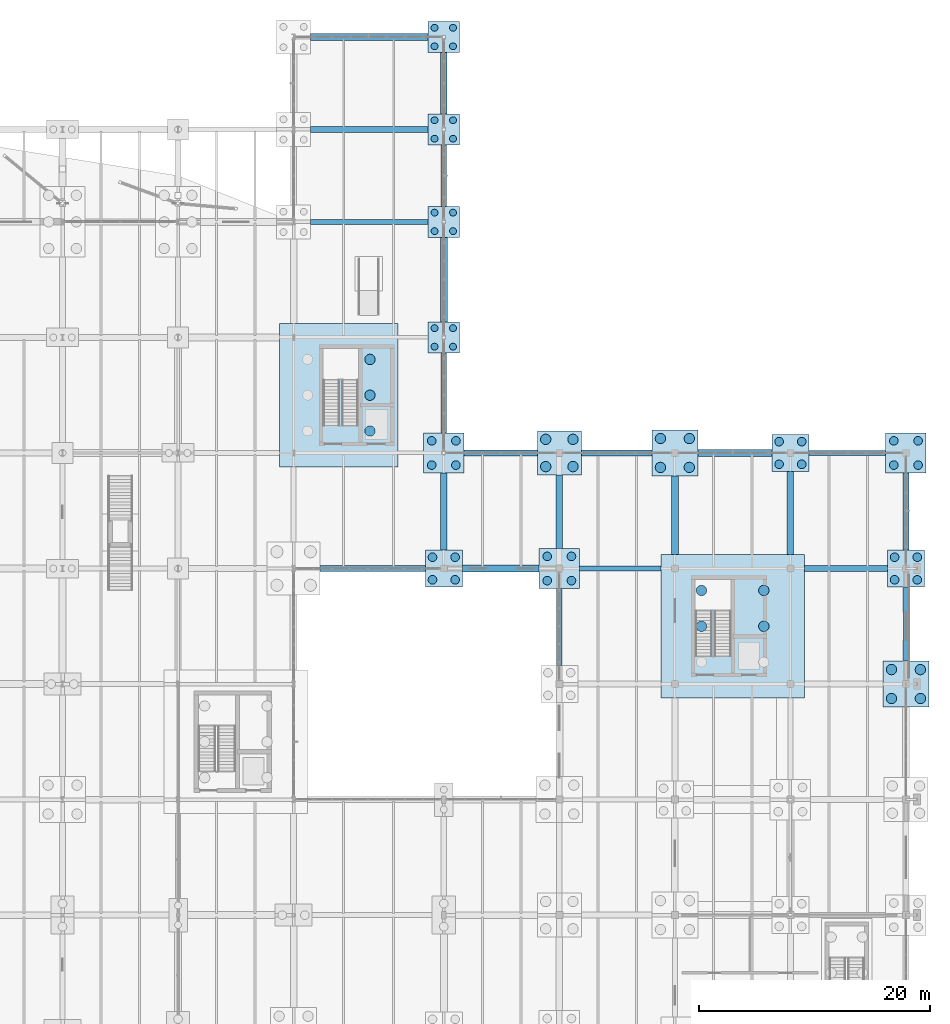
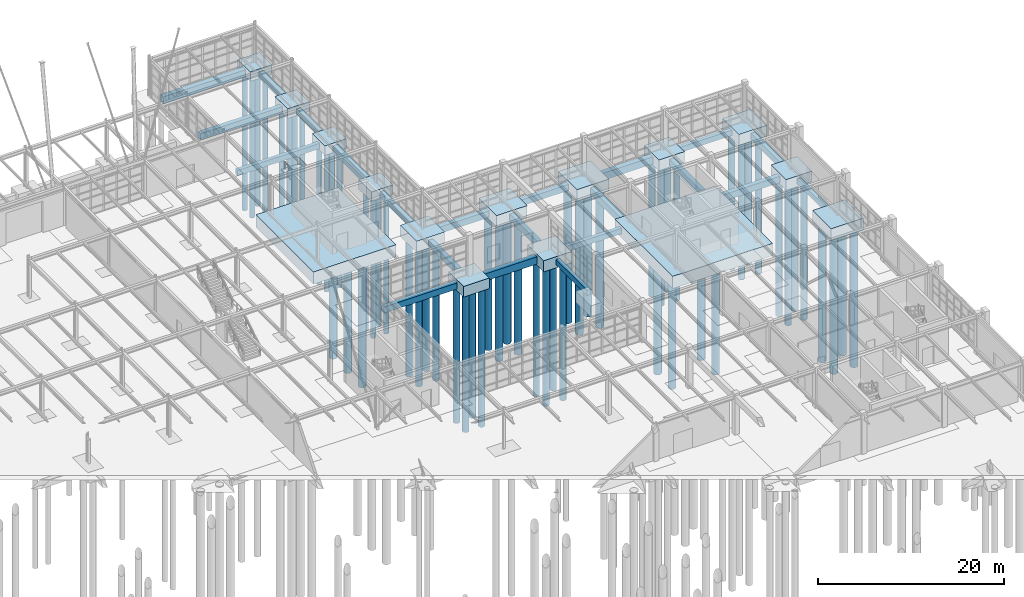
# One storey, part 9 of 145: 59 piles, 37 footings.
"""IFC4 building model written with IfcOpenShell, lengths in metres."""

from ifc_helpers import new_model, si_unit, direction, frame, origin, origin_2d, place, context, subcontext, project, spatial, rectangle, circle, extrude, material, material_profile, profile_set, type_object, element, save


model = new_model("IFC4")

# Units and contexts
model_context = context("Model", 3, precision=1e-05, world=origin(), true_north=direction((0.0, 1.0)))
body_context = subcontext(model_context, "Body", "Model", "MODEL_VIEW")
ifc_project = project(units=[si_unit("LENGTHUNIT", "METRE"), si_unit("AREAUNIT", "SQUARE_METRE"), si_unit("VOLUMEUNIT", "CUBIC_METRE"), si_unit("PLANEANGLEUNIT", "RADIAN"), si_unit("MASSUNIT", "GRAM", prefix="KILO"), si_unit("THERMODYNAMICTEMPERATUREUNIT", "KELVIN"), si_unit("POWERUNIT", "WATT")], contexts=[model_context])

# Site, building, storey
site_placement = place(None, origin())
site = spatial("IfcSite", under=ifc_project, at=site_placement, CompositionType="ELEMENT")
building_placement = place(site_placement, origin())
building = spatial("IfcBuilding", under=site, at=building_placement, Name="Korenveer Ferry Terminal", CompositionType="ELEMENT")
storey_placement = place(building_placement, origin())
storey = spatial("IfcBuildingStorey", under=building, at=storey_placement, Name="L00", CompositionType="ELEMENT", Elevation=0.0)

# Footings
ifc_material_1 = material(Name="Concrete C40/50", Category="concrete")
footing_type_1 = type_object("IfcFootingType", Name="STR-GB-01", PredefinedType="FOOTING_BEAM", material=ifc_material_1)
footing_1_placement = place(storey_placement, frame((129.85009765625, 70.0, -1.14990234375), z_axis=(0.0, 0.0, 1.0), x_axis=(1.0, 0.0, 0.0)))
element("IfcFooting", 1, at=footing_1_placement, inside=storey, type_object=footing_type_1, Name="Ground tie beam 104", PredefinedType="FOOTING_BEAM", context=body_context, shape_type="SweptSolid", body=[
    extrude(rectangle(XDim=9.10009765625, YDim=0.5, at=origin_2d()), origin(), (0.0, 0.0, 1.0), 0.800048828125),
])
footing_2_placement = place(storey_placement, frame((150.949951171875, 80.0, -1.14990234375), z_axis=(0.0, 0.0, 1.0), x_axis=(1.0, 0.0, 0.0)))
element("IfcFooting", 2, at=footing_2_placement, inside=storey, type_object=footing_type_1, Name="Ground tie beam 120", PredefinedType="FOOTING_BEAM", context=body_context, shape_type="SweptSolid", body=[
    extrude(rectangle(XDim=6.10009765625, YDim=0.5, at=origin_2d()), origin(), (0.0, 0.0, 1.0), 0.800048828125),
])
footing_3_placement = place(storey_placement, frame((136.0, 85.199951171875, -1.14990234375), z_axis=(0.0, 0.0, 1.0), x_axis=(1.0, 0.0, 0.0)))
element("IfcFooting", 3, at=footing_3_placement, inside=storey, type_object=footing_type_1, Name="Ground tie beam 268", PredefinedType="FOOTING_BEAM", context=body_context, shape_type="SweptSolid", body=[
    extrude(rectangle(XDim=0.5, YDim=6.89990234375, at=origin_2d()), origin(), (0.0, 0.0, 1.0), 0.800048828125),
])
footing_type_2 = type_object("IfcFootingType", Name="STR-GB-02", PredefinedType="FOOTING_BEAM", material=ifc_material_1)
footing_4_placement = place(storey_placement, frame((140.925048828125, 70.0, -1.2998046875), z_axis=(0.0, 0.0, 1.0), x_axis=(1.0, 0.0, 0.0)))
element("IfcFooting", 4, at=footing_4_placement, inside=storey, type_object=footing_type_2, Name="Ground tie beam 105", PredefinedType="FOOTING_BEAM", context=body_context, shape_type="SweptSolid", body=[
    extrude(rectangle(XDim=6.64990234375, YDim=0.60009765625, at=origin_2d()), origin(), (0.0, 0.0, 1.0), 0.949951171875),
])
footing_5_placement = place(storey_placement, frame((161.199951171875, 80.0, -1.2998046875), z_axis=(0.0, 0.0, 1.0), x_axis=(1.0, 0.0, 0.0)))
element("IfcFooting", 5, at=footing_5_placement, inside=storey, type_object=footing_type_2, Name="Ground tie beam 121", PredefinedType="FOOTING_BEAM", context=body_context, shape_type="SweptSolid", body=[
    extrude(rectangle(XDim=6.39990234375, YDim=0.60009765625, at=origin_2d()), origin(), (0.0, 0.0, 1.0), 0.949951171875),
])
footing_6_placement = place(storey_placement, frame((129.5625, 116.0, -1.2998046875), z_axis=(0.0, 0.0, 1.0), x_axis=(1.0, 0.0, 0.0)))
element("IfcFooting", 6, at=footing_6_placement, inside=storey, type_object=footing_type_2, Name="Ground tie beam 149", PredefinedType="FOOTING_BEAM", context=body_context, shape_type="SweptSolid", body=[
    extrude(rectangle(XDim=10.175048828125, YDim=0.60009765625, at=origin_2d()), origin(), (0.0, 0.0, 1.0), 0.949951171875),
])
footing_7_placement = place(storey_placement, frame((136.0, 95.0, -1.2998046875), z_axis=(0.0, 0.0, 1.0), x_axis=(1.0, 0.0, 0.0)))
element("IfcFooting", 7, at=footing_7_placement, inside=storey, type_object=footing_type_2, Name="Ground tie beam 269", PredefinedType="FOOTING_BEAM", context=body_context, shape_type="SweptSolid", body=[
    extrude(rectangle(XDim=0.60009765625, YDim=7.300048828125, at=origin_2d()), origin(), (0.0, 0.0, 1.0), 0.949951171875),
])
footing_8_placement = place(storey_placement, frame((156.0, 74.60009765625, -1.2998046875), z_axis=(0.0, 0.0, 1.0), x_axis=(1.0, 0.0, 0.0)))
element("IfcFooting", 8, at=footing_8_placement, inside=storey, type_object=footing_type_2, Name="Ground tie beam 285", PredefinedType="FOOTING_BEAM", context=body_context, shape_type="SweptSolid", body=[
    extrude(rectangle(XDim=0.60009765625, YDim=6.800048828125, at=origin_2d()), origin(), (0.0, 0.0, 1.0), 0.949951171875),
])
footing_type_3 = type_object("IfcFootingType", Name="STR-GB-03", PredefinedType="FOOTING_BEAM", material=ifc_material_1)
footing_9_placement = place(storey_placement, frame((151.27490234375, 70.0, -1.0498046875), z_axis=(0.0, 0.0, 1.0), x_axis=(1.0, 0.0, 0.0)))
element("IfcFooting", 9, at=footing_9_placement, inside=storey, type_object=footing_type_3, Name="Ground tie beam 106", PredefinedType="FOOTING_BEAM", context=body_context, shape_type="SweptSolid", body=[
    extrude(rectangle(XDim=7.050048828125, YDim=0.449951171875, at=origin_2d()), origin(), (0.0, 0.0, 1.0), 0.699951171875),
])
footing_10_placement = place(storey_placement, frame((170.925048828125, 80.0, -1.0498046875), z_axis=(0.0, 0.0, 1.0), x_axis=(1.0, 0.0, 0.0)))
element("IfcFooting", 10, at=footing_10_placement, inside=storey, type_object=footing_type_3, Name="Ground tie beam 122", PredefinedType="FOOTING_BEAM", context=body_context, shape_type="SweptSolid", body=[
    extrude(rectangle(XDim=6.64990234375, YDim=0.449951171875, at=origin_2d()), origin(), (0.0, 0.0, 1.0), 0.699951171875),
])
footing_11_placement = place(storey_placement, frame((129.5625, 100.0, -1.0498046875), z_axis=(0.0, 0.0, 1.0), x_axis=(1.0, 0.0, 0.0)))
element("IfcFooting", 11, at=footing_11_placement, inside=storey, type_object=footing_type_3, Name="Ground tie beam 138", PredefinedType="FOOTING_BEAM", context=body_context, shape_type="SweptSolid", body=[
    extrude(rectangle(XDim=10.175048828125, YDim=0.449951171875, at=origin_2d()), origin(), (0.0, 0.0, 1.0), 0.699951171875),
])
footing_12_placement = place(storey_placement, frame((136.0, 104.0, -1.0498046875), z_axis=(0.0, 0.0, 1.0), x_axis=(1.0, 0.0, 0.0)))
element("IfcFooting", 12, at=footing_12_placement, inside=storey, type_object=footing_type_3, Name="Ground tie beam 270", PredefinedType="FOOTING_BEAM", context=body_context, shape_type="SweptSolid", body=[
    extrude(rectangle(XDim=0.449951171875, YDim=5.300048828125, at=origin_2d()), origin(), (0.0, 0.0, 1.0), 0.699951171875),
])
footing_13_placement = place(storey_placement, frame((146.0, 64.925048828125, -1.0498046875), z_axis=(0.0, 0.0, 1.0), x_axis=(1.0, 0.0, 0.0)))
element("IfcFooting", 13, at=footing_13_placement, inside=storey, type_object=footing_type_3, Name="Ground tie beam 278", PredefinedType="FOOTING_BEAM", context=body_context, shape_type="SweptSolid", body=[
    extrude(rectangle(XDim=0.449951171875, YDim=6.64990234375, at=origin_2d()), origin(), (0.0, 0.0, 1.0), 0.699951171875),
])
footing_14_placement = place(storey_placement, frame((176.0, 65.199951171875, -1.0498046875), z_axis=(0.0, 0.0, 1.0), x_axis=(1.0, 0.0, 0.0)))
element("IfcFooting", 14, at=footing_14_placement, inside=storey, type_object=footing_type_3, Name="Ground tie beam 298", PredefinedType="FOOTING_BEAM", context=body_context, shape_type="SweptSolid", body=[
    extrude(rectangle(XDim=0.449951171875, YDim=6.39990234375, at=origin_2d()), origin(), (0.0, 0.0, 1.0), 0.699951171875),
])
footing_type_4 = type_object("IfcFootingType", Name="STR-GB-04", PredefinedType="FOOTING_BEAM", material=ifc_material_1)
footing_15_placement = place(storey_placement, frame((170.800048828125, 70.0, -1.199951171875), z_axis=(0.0, 0.0, 1.0), x_axis=(1.0, 0.0, 0.0)))
element("IfcFooting", 15, at=footing_15_placement, inside=storey, type_object=footing_type_4, Name="Ground tie beam 107", PredefinedType="FOOTING_BEAM", context=body_context, shape_type="SweptSolid", body=[
    extrude(rectangle(XDim=7.199951171875, YDim=0.550048828125, at=origin_2d()), origin(), (0.0, 0.0, 1.0), 0.85009765625),
])
footing_16_placement = place(storey_placement, frame((140.925048828125, 80.0, -1.199951171875), z_axis=(0.0, 0.0, 1.0), x_axis=(1.0, 0.0, 0.0)))
element("IfcFooting", 16, at=footing_16_placement, inside=storey, type_object=footing_type_4, Name="Ground tie beam 119", PredefinedType="FOOTING_BEAM", context=body_context, shape_type="SweptSolid", body=[
    extrude(rectangle(XDim=6.35009765625, YDim=0.550048828125, at=origin_2d()), origin(), (0.0, 0.0, 1.0), 0.85009765625),
])
footing_17_placement = place(storey_placement, frame((129.5625, 108.0, -1.199951171875), z_axis=(0.0, 0.0, 1.0), x_axis=(1.0, 0.0, 0.0)))
element("IfcFooting", 17, at=footing_17_placement, inside=storey, type_object=footing_type_4, Name="Ground tie beam 147", PredefinedType="FOOTING_BEAM", context=body_context, shape_type="SweptSolid", body=[
    extrude(rectangle(XDim=10.175048828125, YDim=0.550048828125, at=origin_2d()), origin(), (0.0, 0.0, 1.0), 0.85009765625),
])
footing_18_placement = place(storey_placement, frame((136.0, 74.925048828125, -1.199951171875), z_axis=(0.0, 0.0, 1.0), x_axis=(1.0, 0.0, 0.0)))
element("IfcFooting", 18, at=footing_18_placement, inside=storey, type_object=footing_type_4, Name="Ground tie beam 267", PredefinedType="FOOTING_BEAM", context=body_context, shape_type="SweptSolid", body=[
    extrude(rectangle(XDim=0.550048828125, YDim=6.64990234375, at=origin_2d()), origin(), (0.0, 0.0, 1.0), 0.85009765625),
])
footing_19_placement = place(storey_placement, frame((136.0, 112.0, -1.199951171875), z_axis=(0.0, 0.0, 1.0), x_axis=(1.0, 0.0, 0.0)))
element("IfcFooting", 19, at=footing_19_placement, inside=storey, type_object=footing_type_4, Name="Ground tie beam 271", PredefinedType="FOOTING_BEAM", context=body_context, shape_type="SweptSolid", body=[
    extrude(rectangle(XDim=0.550048828125, YDim=5.300048828125, at=origin_2d()), origin(), (0.0, 0.0, 1.0), 0.85009765625),
])
footing_20_placement = place(storey_placement, frame((146.0, 74.925048828125, -1.199951171875), z_axis=(0.0, 0.0, 1.0), x_axis=(1.0, 0.0, 0.0)))
element("IfcFooting", 20, at=footing_20_placement, inside=storey, type_object=footing_type_4, Name="Ground tie beam 279", PredefinedType="FOOTING_BEAM", context=body_context, shape_type="SweptSolid", body=[
    extrude(rectangle(XDim=0.550048828125, YDim=6.35009765625, at=origin_2d()), origin(), (0.0, 0.0, 1.0), 0.85009765625),
])
footing_21_placement = place(storey_placement, frame((166.0, 74.800048828125, -1.199951171875), z_axis=(0.0, 0.0, 1.0), x_axis=(1.0, 0.0, 0.0)))
element("IfcFooting", 21, at=footing_21_placement, inside=storey, type_object=footing_type_4, Name="Ground tie beam 291", PredefinedType="FOOTING_BEAM", context=body_context, shape_type="SweptSolid", body=[
    extrude(rectangle(XDim=0.550048828125, YDim=7.199951171875, at=origin_2d()), origin(), (0.0, 0.0, 1.0), 0.85009765625),
])
footing_22_placement = place(storey_placement, frame((176.0, 74.925048828125, -1.199951171875), z_axis=(0.0, 0.0, 1.0), x_axis=(1.0, 0.0, 0.0)))
element("IfcFooting", 22, at=footing_22_placement, inside=storey, type_object=footing_type_4, Name="Ground tie beam 299", PredefinedType="FOOTING_BEAM", context=body_context, shape_type="SweptSolid", body=[
    extrude(rectangle(XDim=0.550048828125, YDim=6.64990234375, at=origin_2d()), origin(), (0.0, 0.0, 1.0), 0.85009765625),
])
ifc_material_2 = material(Name="Concrete C45/55", Category="concrete")
footing_type_5 = type_object("IfcFootingType", Name="STR-PC-06", PredefinedType="PILE_CAP", material=ifc_material_2)
for number, where, z_axis, x_axis, name in (
    (23, (136.0, 70.0, -1.39990234375), (0.0, 0.0, 1.0), (1.0, 0.0, 0.0), "Pile cap PC-06 at (136,70)"),
    (24, (166.0, 80.0, -1.39990234375), (0.0, 0.0, 1.0), (1.0, 0.0, 0.0), "Pile cap PC-06 at (166,80)"),
    (25, (176.0, 70.0, -1.39990234375), (0.0, 0.0, 1.0), (1.0, 0.0, 0.0), "Pile cap PC-06 at (176,70)"),
):
    element("IfcFooting", number, at=place(storey_placement, frame(where, z_axis=z_axis, x_axis=x_axis)), inside=storey, type_object=footing_type_5, Name=name, PredefinedType="PILE_CAP", context=body_context, shape_type="SweptSolid", body=[
        extrude(rectangle(XDim=3.199951171875, YDim=3.199951171875, at=origin_2d()), origin(), (0.0, 0.0, 1.0), 1.39990234375),
    ])
footing_type_6 = type_object("IfcFootingType", Name="STR-PC-07", PredefinedType="PILE_CAP", material=ifc_material_2)
for number, where, z_axis, x_axis, name in (
    (26, (136.0, 80.0, -1.4501953125), (0.0, 0.0, 1.0), (1.0, 0.0, 0.0), "Pile cap PC-07 at (136,80)"),
    (27, (146.0, 70.0, -1.4501953125), (0.0, 0.0, 1.0), (1.0, 0.0, 0.0), "Pile cap PC-07 at (146,70)"),
    (28, (176.0, 80.0, -1.4501953125), (0.0, 0.0, 1.0), (1.0, 0.0, 0.0), "Pile cap PC-07 at (176,80)"),
):
    element("IfcFooting", number, at=place(storey_placement, frame(where, z_axis=z_axis, x_axis=x_axis)), inside=storey, type_object=footing_type_6, Name=name, PredefinedType="PILE_CAP", context=body_context, shape_type="SweptSolid", body=[
        extrude(rectangle(XDim=3.5, YDim=3.5, at=origin_2d()), origin(), (0.0, 0.0, 1.0), 1.449951171875),
    ])
footing_type_7 = type_object("IfcFootingType", Name="STR-PC-08", PredefinedType="PILE_CAP", material=ifc_material_2)
footing_23_placement = place(storey_placement, frame((146.0, 80.0, -1.5), z_axis=(0.0, 0.0, 1.0), x_axis=(1.0, 0.0, 0.0)))
element("IfcFooting", 29, at=footing_23_placement, inside=storey, type_object=footing_type_7, Name="Pile cap PC-08 at (146,80)", PredefinedType="PILE_CAP", context=body_context, shape_type="SweptSolid", body=[
    extrude(rectangle(XDim=3.800048828125, YDim=3.800048828125, at=origin_2d()), origin(), (0.0, 0.0, 1.0), 1.5),
])
footing_type_8 = type_object("IfcFootingType", Name="STR-PC-09", PredefinedType="PILE_CAP", material=ifc_material_2)
for number, where, z_axis, x_axis, name in (
    (30, (156.0, 80.0, -1.5498046875), (0.0, 0.0, 1.0), (1.0, 0.0, 0.0), "Pile cap PC-09 at (156,80)"),
    (31, (176.0, 60.0, -1.5498046875), (0.0, 0.0, 1.0), (1.0, 0.0, 0.0), "Pile cap PC-09 at (176,60)"),
):
    element("IfcFooting", number, at=place(storey_placement, frame(where, z_axis=z_axis, x_axis=x_axis)), inside=storey, type_object=footing_type_8, Name=name, PredefinedType="PILE_CAP", context=body_context, shape_type="SweptSolid", body=[
        extrude(rectangle(XDim=4.0, YDim=4.0, at=origin_2d()), origin(), (0.0, 0.0, 1.0), 1.550048828125),
    ])
footing_type_9 = type_object("IfcFootingType", Name="STR-PC-17", PredefinedType="PILE_CAP", material=ifc_material_2)
for number, where, z_axis, x_axis, name in (
    (32, (136.0, 90.0, -1.25), (0.0, 0.0, 1.0), (1.0, 0.0, 0.0), "Pile cap PC-17 at (136,90)"),
    (33, (136.0, 100.0, -1.25), (0.0, 0.0, 1.0), (1.0, 0.0, 0.0), "Pile cap PC-17 at (136,100)"),
    (34, (136.0, 108.0, -1.25), (0.0, 0.0, 1.0), (1.0, 0.0, 0.0), "Pile cap PC-17 at (136,108)"),
    (35, (136.0, 116.0, -1.25), (0.0, 0.0, 1.0), (1.0, 0.0, 0.0), "Pile cap PC-17 at (136,116)"),
):
    element("IfcFooting", number, at=place(storey_placement, frame(where, z_axis=z_axis, x_axis=x_axis)), inside=storey, type_object=footing_type_9, Name=name, PredefinedType="PILE_CAP", context=body_context, shape_type="SweptSolid", body=[
        extrude(rectangle(XDim=2.699951171875, YDim=2.699951171875, at=origin_2d()), origin(), (0.0, 0.0, 1.0), 1.25),
    ])
footing_type_10 = type_object("IfcFootingType", Name="STR-PC-MAT-K4", PredefinedType="PILE_CAP", material=ifc_material_2)
footing_24_placement = place(storey_placement, frame((161.0, 65.0, -1.60009765625), z_axis=(0.0, 0.0, 1.0), x_axis=(1.0, 0.0, 0.0)))
element("IfcFooting", 36, at=footing_24_placement, inside=storey, type_object=footing_type_10, Name="Core pile cap mat K4", PredefinedType="PILE_CAP", context=body_context, shape_type="SweptSolid", body=[
    extrude(rectangle(XDim=12.39990234375, YDim=12.39990234375, at=origin_2d()), origin(), (0.0, 0.0, 1.0), 1.60009765625),
])
footing_type_11 = type_object("IfcFootingType", Name="STR-PC-MAT-K8", PredefinedType="PILE_CAP", material=ifc_material_2)
footing_25_placement = place(storey_placement, frame((126.909912109375, 85.0, -1.60009765625), z_axis=(0.0, 0.0, 1.0), x_axis=(1.0, 0.0, 0.0)))
element("IfcFooting", 37, at=footing_25_placement, inside=storey, type_object=footing_type_11, Name="Core pile cap mat K8", PredefinedType="PILE_CAP", context=body_context, shape_type="SweptSolid", body=[
    extrude(rectangle(XDim=10.219970703125, YDim=12.39990234375, at=origin_2d()), origin(), (0.0, 0.0, 1.0), 1.60009765625),
])

# Piles
ifc_material_profile_1 = material_profile(ifc_material_1, circle(Radius=0.300048828125, at=origin_2d()), Name="PILE D600")
ifc_profile_set_1 = profile_set([ifc_material_profile_1], Name="Concrete C40/50")
pile_type_1 = type_object("IfcPileType", Name="STR-PL-D600", PredefinedType="DRIVEN", material=ifc_profile_set_1)
for number, where, z_axis, x_axis, name in (
    (38, (135.199951171875, 89.199951171875, -1.14990234375), (0.0, 0.0, -1.0), (1.0, 0.0, 0.0), "Foundation pile 423"),
    (39, (136.800048828125, 89.199951171875, -1.14990234375), (0.0, 0.0, -1.0), (1.0, 0.0, 0.0), "Foundation pile 424"),
    (40, (135.199951171875, 90.800048828125, -1.14990234375), (0.0, 0.0, -1.0), (1.0, 0.0, 0.0), "Foundation pile 425"),
    (41, (136.800048828125, 90.800048828125, -1.14990234375), (0.0, 0.0, -1.0), (1.0, 0.0, 0.0), "Foundation pile 426"),
    (42, (135.199951171875, 99.199951171875, -1.14990234375), (0.0, 0.0, -1.0), (1.0, 0.0, 0.0), "Foundation pile 427"),
    (43, (136.800048828125, 99.199951171875, -1.14990234375), (0.0, 0.0, -1.0), (1.0, 0.0, 0.0), "Foundation pile 428"),
    (44, (135.199951171875, 100.800048828125, -1.14990234375), (0.0, 0.0, -1.0), (1.0, 0.0, 0.0), "Foundation pile 429"),
    (45, (136.800048828125, 100.800048828125, -1.14990234375), (0.0, 0.0, -1.0), (1.0, 0.0, 0.0), "Foundation pile 430"),
    (46, (135.199951171875, 107.199951171875, -1.14990234375), (0.0, 0.0, -1.0), (1.0, 0.0, 0.0), "Foundation pile 431"),
    (47, (136.800048828125, 107.199951171875, -1.14990234375), (0.0, 0.0, -1.0), (1.0, 0.0, 0.0), "Foundation pile 432"),
    (48, (135.199951171875, 108.800048828125, -1.14990234375), (0.0, 0.0, -1.0), (1.0, 0.0, 0.0), "Foundation pile 433"),
    (49, (136.800048828125, 108.800048828125, -1.14990234375), (0.0, 0.0, -1.0), (1.0, 0.0, 0.0), "Foundation pile 434"),
    (50, (135.199951171875, 115.199951171875, -1.14990234375), (0.0, 0.0, -1.0), (1.0, 0.0, 0.0), "Foundation pile 435"),
    (51, (136.800048828125, 115.199951171875, -1.14990234375), (0.0, 0.0, -1.0), (1.0, 0.0, 0.0), "Foundation pile 436"),
    (52, (135.199951171875, 116.800048828125, -1.14990234375), (0.0, 0.0, -1.0), (1.0, 0.0, 0.0), "Foundation pile 437"),
    (53, (136.800048828125, 116.800048828125, -1.14990234375), (0.0, 0.0, -1.0), (1.0, 0.0, 0.0), "Foundation pile 438"),
):
    element("IfcPile", number, at=place(storey_placement, frame(where, z_axis=z_axis, x_axis=x_axis)), inside=storey, type_object=pile_type_1, Name=name, PredefinedType="DRIVEN", context=body_context, shape_type="SweptSolid", body=[
        extrude(circle(Radius=0.300048828125, at=origin_2d()), origin(), (0.0, 0.0, 1.0), 18.35009765625),
    ])
ifc_material_profile_2 = material_profile(ifc_material_1, circle(Radius=0.375, at=origin_2d()), Name="PILE D750")
ifc_profile_set_2 = profile_set([ifc_material_profile_2], Name="Concrete C40/50")
pile_type_2 = type_object("IfcPileType", Name="STR-PL-D750", PredefinedType="BORED", material=ifc_profile_set_2)
for number, where, z_axis, x_axis, name in (
    (54, (135.02001953125, 69.02001953125, -1.300048828125), (0.0, 0.0, -1.0), (1.0, 0.0, 0.0), "Foundation pile 415"),
    (55, (136.97998046875, 69.02001953125, -1.300048828125), (0.0, 0.0, -1.0), (1.0, 0.0, 0.0), "Foundation pile 416"),
    (56, (135.02001953125, 70.97998046875, -1.300048828125), (0.0, 0.0, -1.0), (1.0, 0.0, 0.0), "Foundation pile 417"),
    (57, (136.97998046875, 70.97998046875, -1.300048828125), (0.0, 0.0, -1.0), (1.0, 0.0, 0.0), "Foundation pile 418"),
):
    element("IfcPile", number, at=place(storey_placement, frame(where, z_axis=z_axis, x_axis=x_axis)), inside=storey, type_object=pile_type_2, Name=name, PredefinedType="BORED", context=body_context, shape_type="SweptSolid", body=[
        extrude(circle(Radius=0.375, at=origin_2d()), origin(), (0.0, 0.0, 1.0), 18.199951171875),
    ])
for number, where, z_axis, x_axis, name in (
    (58, (134.949951171875, 78.949951171875, -1.35009765625), (0.0, 0.0, -1.0), (1.0, 0.0, 0.0), "Foundation pile 419"),
    (59, (137.050048828125, 78.949951171875, -1.35009765625), (0.0, 0.0, -1.0), (1.0, 0.0, 0.0), "Foundation pile 420"),
    (60, (134.949951171875, 81.050048828125, -1.35009765625), (0.0, 0.0, -1.0), (1.0, 0.0, 0.0), "Foundation pile 421"),
    (61, (137.050048828125, 81.050048828125, -1.35009765625), (0.0, 0.0, -1.0), (1.0, 0.0, 0.0), "Foundation pile 422"),
    (62, (144.949951171875, 68.949951171875, -1.35009765625), (0.0, 0.0, -1.0), (1.0, 0.0, 0.0), "Foundation pile 462"),
    (63, (147.050048828125, 68.949951171875, -1.35009765625), (0.0, 0.0, -1.0), (1.0, 0.0, 0.0), "Foundation pile 463"),
    (64, (144.949951171875, 71.050048828125, -1.35009765625), (0.0, 0.0, -1.0), (1.0, 0.0, 0.0), "Foundation pile 464"),
    (65, (147.050048828125, 71.050048828125, -1.35009765625), (0.0, 0.0, -1.0), (1.0, 0.0, 0.0), "Foundation pile 465"),
):
    element("IfcPile", number, at=place(storey_placement, frame(where, z_axis=z_axis, x_axis=x_axis)), inside=storey, type_object=pile_type_2, Name=name, PredefinedType="BORED", context=body_context, shape_type="SweptSolid", body=[
        extrude(circle(Radius=0.375, at=origin_2d()), origin(), (0.0, 0.0, 1.0), 18.14990234375),
    ])
for number, where, z_axis, x_axis, name in (
    (66, (165.02001953125, 79.02001953125, -1.300048828125), (0.0, 0.0, -1.0), (1.0, 0.0, 0.0), "Foundation pile 497"),
    (67, (166.97998046875, 79.02001953125, -1.300048828125), (0.0, 0.0, -1.0), (1.0, 0.0, 0.0), "Foundation pile 498"),
    (68, (165.02001953125, 80.97998046875, -1.300048828125), (0.0, 0.0, -1.0), (1.0, 0.0, 0.0), "Foundation pile 499"),
    (69, (166.97998046875, 80.97998046875, -1.300048828125), (0.0, 0.0, -1.0), (1.0, 0.0, 0.0), "Foundation pile 500"),
    (70, (175.02001953125, 69.02001953125, -1.300048828125), (0.0, 0.0, -1.0), (1.0, 0.0, 0.0), "Foundation pile 525"),
    (71, (176.97998046875, 69.02001953125, -1.300048828125), (0.0, 0.0, -1.0), (1.0, 0.0, 0.0), "Foundation pile 526"),
    (72, (175.02001953125, 70.97998046875, -1.300048828125), (0.0, 0.0, -1.0), (1.0, 0.0, 0.0), "Foundation pile 527"),
    (73, (176.97998046875, 70.97998046875, -1.300048828125), (0.0, 0.0, -1.0), (1.0, 0.0, 0.0), "Foundation pile 528"),
):
    element("IfcPile", number, at=place(storey_placement, frame(where, z_axis=z_axis, x_axis=x_axis)), inside=storey, type_object=pile_type_2, Name=name, PredefinedType="BORED", context=body_context, shape_type="SweptSolid", body=[
        extrude(circle(Radius=0.375, at=origin_2d()), origin(), (0.0, 0.0, 1.0), 18.199951171875),
    ])
for number, where, z_axis, x_axis, name in (
    (74, (174.949951171875, 78.949951171875, -1.35009765625), (0.0, 0.0, -1.0), (1.0, 0.0, 0.0), "Foundation pile 529"),
    (75, (177.050048828125, 78.949951171875, -1.35009765625), (0.0, 0.0, -1.0), (1.0, 0.0, 0.0), "Foundation pile 530"),
    (76, (174.949951171875, 81.050048828125, -1.35009765625), (0.0, 0.0, -1.0), (1.0, 0.0, 0.0), "Foundation pile 531"),
    (77, (177.050048828125, 81.050048828125, -1.35009765625), (0.0, 0.0, -1.0), (1.0, 0.0, 0.0), "Foundation pile 532"),
):
    element("IfcPile", number, at=place(storey_placement, frame(where, z_axis=z_axis, x_axis=x_axis)), inside=storey, type_object=pile_type_2, Name=name, PredefinedType="BORED", context=body_context, shape_type="SweptSolid", body=[
        extrude(circle(Radius=0.375, at=origin_2d()), origin(), (0.0, 0.0, 1.0), 18.14990234375),
    ])
ifc_material_profile_3 = material_profile(ifc_material_1, circle(Radius=0.449951171875, at=origin_2d()), Name="PILE D900")
ifc_profile_set_3 = profile_set([ifc_material_profile_3], Name="Concrete C40/50")
pile_type_3 = type_object("IfcPileType", Name="STR-PL-D900", PredefinedType="BORED", material=ifc_profile_set_3)
for number, where, z_axis, x_axis, name in (
    (78, (158.300048828125, 65.0, -1.5), (0.0, 0.0, -1.0), (1.0, 0.0, 0.0), "Core foundation pile 21"),
    (79, (163.699951171875, 65.0, -1.5), (0.0, 0.0, -1.0), (1.0, 0.0, 0.0), "Core foundation pile 22"),
    (80, (158.300048828125, 68.10009765625, -1.5), (0.0, 0.0, -1.0), (1.0, 0.0, 0.0), "Core foundation pile 23"),
    (81, (163.699951171875, 68.10009765625, -1.5), (0.0, 0.0, -1.0), (1.0, 0.0, 0.0), "Core foundation pile 24"),
    (82, (129.610107421875, 81.89990234375, -1.5), (0.0, 0.0, -1.0), (1.0, 0.0, 0.0), "Core foundation pile 44"),
    (83, (129.610107421875, 85.0, -1.5), (0.0, 0.0, -1.0), (1.0, 0.0, 0.0), "Core foundation pile 46"),
    (84, (129.610107421875, 88.10009765625, -1.5), (0.0, 0.0, -1.0), (1.0, 0.0, 0.0), "Core foundation pile 48"),
):
    element("IfcPile", number, at=place(storey_placement, frame(where, z_axis=z_axis, x_axis=x_axis)), inside=storey, type_object=pile_type_3, Name=name, PredefinedType="BORED", context=body_context, shape_type="SweptSolid", body=[
        extrude(circle(Radius=0.449951171875, at=origin_2d()), origin(), (0.0, 0.0, 1.0), 18.0),
    ])
for number, where, z_axis, x_axis, name in (
    (85, (144.820068359375, 78.820068359375, -1.39990234375), (0.0, 0.0, -1.0), (1.0, 0.0, 0.0), "Foundation pile 466"),
    (86, (147.179931640625, 78.820068359375, -1.39990234375), (0.0, 0.0, -1.0), (1.0, 0.0, 0.0), "Foundation pile 467"),
    (87, (144.820068359375, 81.179931640625, -1.39990234375), (0.0, 0.0, -1.0), (1.0, 0.0, 0.0), "Foundation pile 468"),
    (88, (147.179931640625, 81.179931640625, -1.39990234375), (0.0, 0.0, -1.0), (1.0, 0.0, 0.0), "Foundation pile 469"),
):
    element("IfcPile", number, at=place(storey_placement, frame(where, z_axis=z_axis, x_axis=x_axis)), inside=storey, type_object=pile_type_3, Name=name, PredefinedType="BORED", context=body_context, shape_type="SweptSolid", body=[
        extrude(circle(Radius=0.449951171875, at=origin_2d()), origin(), (0.0, 0.0, 1.0), 18.10009765625),
    ])
for number, where, z_axis, x_axis, name in (
    (89, (154.75, 78.75, -1.449951171875), (0.0, 0.0, -1.0), (1.0, 0.0, 0.0), "Foundation pile 482"),
    (90, (157.25, 78.75, -1.449951171875), (0.0, 0.0, -1.0), (1.0, 0.0, 0.0), "Foundation pile 483"),
    (91, (154.75, 81.25, -1.449951171875), (0.0, 0.0, -1.0), (1.0, 0.0, 0.0), "Foundation pile 484"),
    (92, (157.25, 81.25, -1.449951171875), (0.0, 0.0, -1.0), (1.0, 0.0, 0.0), "Foundation pile 485"),
    (93, (174.75, 58.75, -1.449951171875), (0.0, 0.0, -1.0), (1.0, 0.0, 0.0), "Foundation pile 521"),
    (94, (177.25, 58.75, -1.449951171875), (0.0, 0.0, -1.0), (1.0, 0.0, 0.0), "Foundation pile 522"),
    (95, (174.75, 61.25, -1.449951171875), (0.0, 0.0, -1.0), (1.0, 0.0, 0.0), "Foundation pile 523"),
    (96, (177.25, 61.25, -1.449951171875), (0.0, 0.0, -1.0), (1.0, 0.0, 0.0), "Foundation pile 524"),
):
    element("IfcPile", number, at=place(storey_placement, frame(where, z_axis=z_axis, x_axis=x_axis)), inside=storey, type_object=pile_type_3, Name=name, PredefinedType="BORED", context=body_context, shape_type="SweptSolid", body=[
        extrude(circle(Radius=0.449951171875, at=origin_2d()), origin(), (0.0, 0.0, 1.0), 18.050048828125),
    ])

save(model, "model.ifc")
